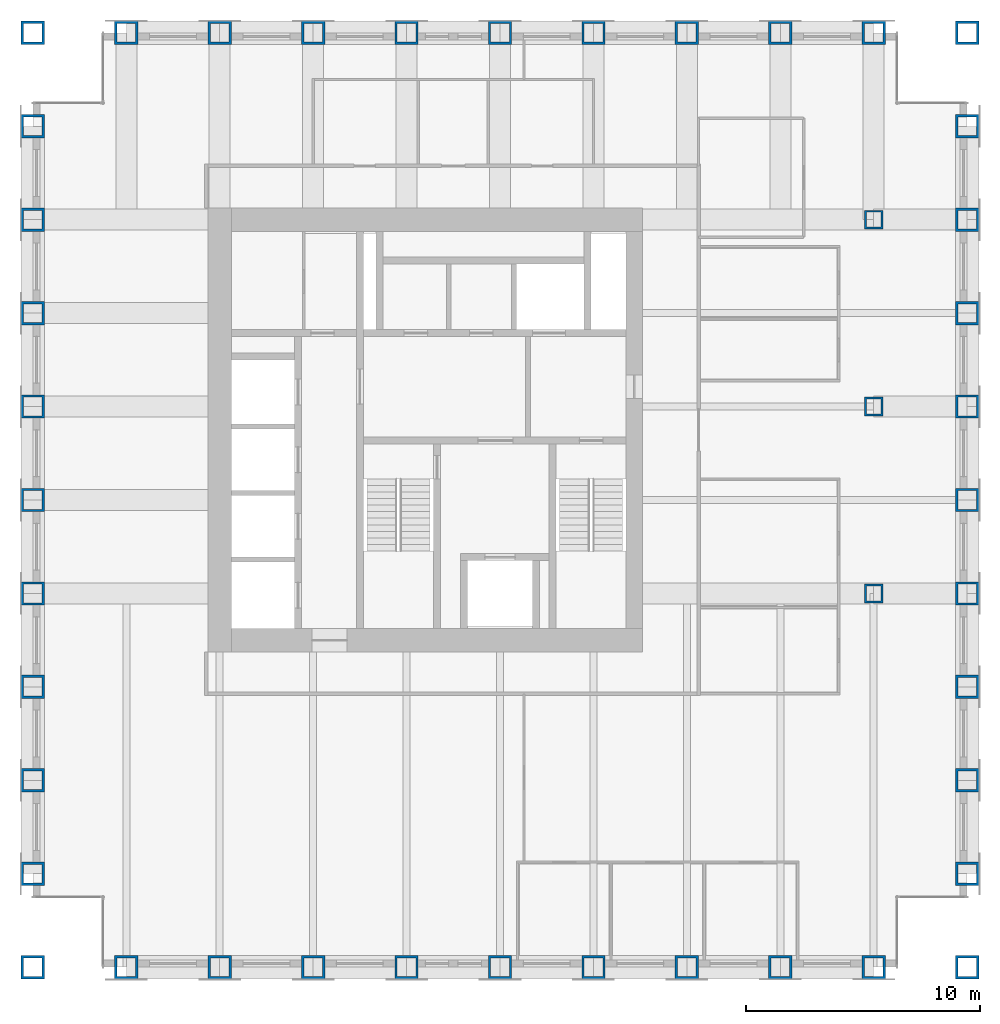
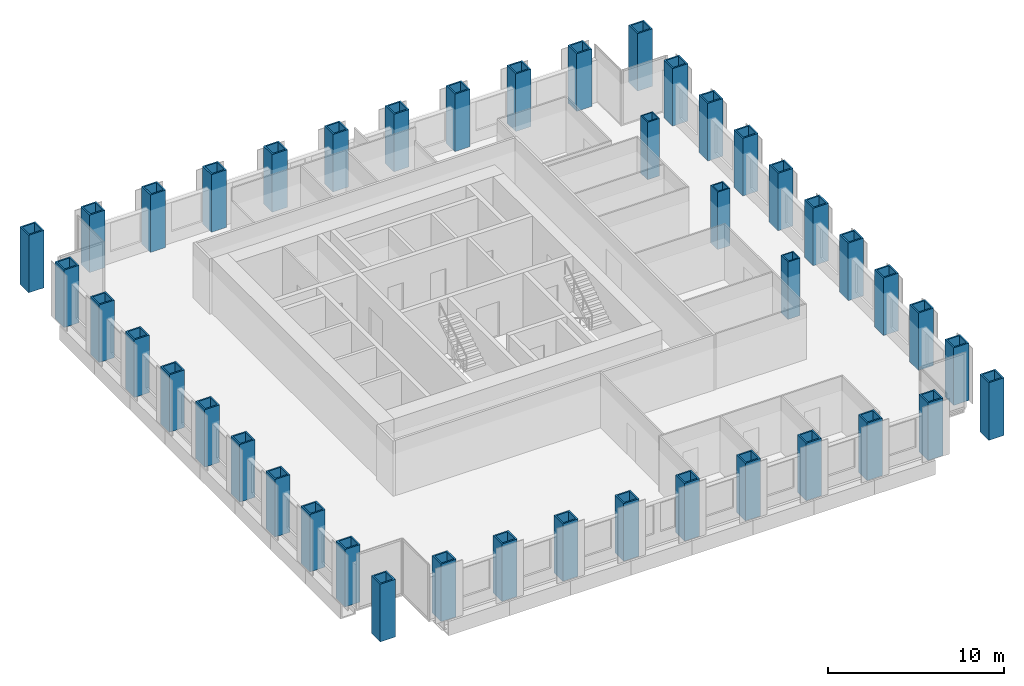
# One storey, part 1 of 11: 43 columns.
"""IFC4 building model written with IfcOpenShell, lengths in metres."""

from ifc_helpers import new_model, si_unit, direction, frame, origin, origin_2d, place, context, subcontext, project, spatial, hollow_rectangle, extrude, material, material_profile, profile_set, type_object, element, save


model = new_model("IFC4")

# Units and contexts
model_context = context("Model", 3, precision=1e-05, world=origin(), true_north=direction((0.0, 1.0)))
body_context = subcontext(model_context, "Body", "Model", "MODEL_VIEW")
ifc_project = project(units=[si_unit("LENGTHUNIT", "METRE"), si_unit("AREAUNIT", "SQUARE_METRE"), si_unit("VOLUMEUNIT", "CUBIC_METRE"), si_unit("PLANEANGLEUNIT", "RADIAN"), si_unit("MASSUNIT", "GRAM", prefix="KILO")], contexts=[model_context])

# Site, building, storey
site_placement = place(None, origin())
site = spatial("IfcSite", under=ifc_project, at=site_placement, CompositionType="ELEMENT")
building_placement = place(site_placement, origin())
building = spatial("IfcBuilding", under=site, at=building_placement, Name="Rimbunsela Tower", CompositionType="ELEMENT")
storey_placement = place(building_placement, frame((0.0, 0.0, 246.199951171875)))
storey = spatial("IfcBuildingStorey", under=building, at=storey_placement, Name="L59", CompositionType="ELEMENT", Elevation=246.199951171875)

# Columns
ifc_material_1 = material(Name="Steel BJ 55 (fy 410 MPa)", Category="steel")
ifc_material_profile_1 = material_profile(ifc_material_1, hollow_rectangle(XDim=1.0, YDim=1.0, WallThickness=0.10009765625, at=origin_2d()), Name="BOX 1000x1000x100")
ifc_profile_set_1 = profile_set([ifc_material_profile_1], Name="Steel BJ 55 (fy 410 MPa)")
column_type_1 = type_object("IfcColumnType", Name="Column BOX 1000x1000x100", PredefinedType="COLUMN", material=ifc_profile_set_1)
for number, where, z_axis, x_axis, name in (
    (1, (10.0, 4.0, 0.0), (0.0, 0.0, 1.0), (1.0, 0.0, 0.0), "Column C1 5/C L59"),
    (2, (10.0, 8.0, 0.0), (0.0, 0.0, 1.0), (1.0, 0.0, 0.0), "Column C1 5/D L59"),
    (3, (10.0, 12.0, 0.0), (0.0, 0.0, 1.0), (1.0, 0.0, 0.0), "Column C1 5/E L59"),
    (4, (10.0, 16.0, 0.0), (0.0, 0.0, 1.0), (1.0, 0.0, 0.0), "Column C1 5/F L59"),
    (5, (10.0, 20.0, 0.0), (0.0, 0.0, 1.0), (1.0, 0.0, 0.0), "Column C1 5/G L59"),
    (6, (10.0, 24.0, 0.0), (0.0, 0.0, 1.0), (1.0, 0.0, 0.0), "Column C1 5/H L59"),
    (7, (10.0, 28.0, 0.0), (0.0, 0.0, 1.0), (1.0, 0.0, 0.0), "Column C1 5/J L59"),
    (8, (10.0, 32.0, 0.0), (0.0, 0.0, 1.0), (1.0, 0.0, 0.0), "Column C1 5/K L59"),
    (9, (10.0, 36.0, 0.0), (0.0, 0.0, 1.0), (1.0, 0.0, 0.0), "Column C1 5/L L59"),
    (10, (10.0, 40.0, 0.0), (0.0, 0.0, 1.0), (1.0, 0.0, 0.0), "Column C1 5/M L59"),
    (11, (10.0, 44.0, 0.0), (0.0, 0.0, 1.0), (1.0, 0.0, 0.0), "Column C1 5/N L59"),
    (12, (14.0, 4.0, 0.0), (0.0, 0.0, 1.0), (1.0, 0.0, 0.0), "Column C1 6/C L59"),
    (13, (14.0, 44.0, 0.0), (0.0, 0.0, 1.0), (1.0, 0.0, 0.0), "Column C1 6/N L59"),
    (14, (18.0, 4.0, 0.0), (0.0, 0.0, 1.0), (1.0, 0.0, 0.0), "Column C1 7/C L59"),
    (15, (18.0, 44.0, 0.0), (0.0, 0.0, 1.0), (1.0, 0.0, 0.0), "Column C1 7/N L59"),
    (16, (22.0, 4.0, 0.0), (0.0, 0.0, 1.0), (1.0, 0.0, 0.0), "Column C1 8/C L59"),
    (17, (22.0, 44.0, 0.0), (0.0, 0.0, 1.0), (1.0, 0.0, 0.0), "Column C1 8/N L59"),
    (18, (26.0, 4.0, 0.0), (0.0, 0.0, 1.0), (1.0, 0.0, 0.0), "Column C1 9/C L59"),
    (19, (26.0, 44.0, 0.0), (0.0, 0.0, 1.0), (1.0, 0.0, 0.0), "Column C1 9/N L59"),
    (20, (30.0, 4.0, 0.0), (0.0, 0.0, 1.0), (1.0, 0.0, 0.0), "Column C1 10/C L59"),
    (21, (30.0, 44.0, 0.0), (0.0, 0.0, 1.0), (1.0, 0.0, 0.0), "Column C1 10/N L59"),
    (22, (34.0, 4.0, 0.0), (0.0, 0.0, 1.0), (1.0, 0.0, 0.0), "Column C1 11/C L59"),
    (23, (34.0, 44.0, 0.0), (0.0, 0.0, 1.0), (1.0, 0.0, 0.0), "Column C1 11/N L59"),
    (24, (38.0, 4.0, 0.0), (0.0, 0.0, 1.0), (1.0, 0.0, 0.0), "Column C1 12/C L59"),
    (25, (38.0, 44.0, 0.0), (0.0, 0.0, 1.0), (1.0, 0.0, 0.0), "Column C1 12/N L59"),
    (26, (42.0, 4.0, 0.0), (0.0, 0.0, 1.0), (1.0, 0.0, 0.0), "Column C1 13/C L59"),
    (27, (42.0, 44.0, 0.0), (0.0, 0.0, 1.0), (1.0, 0.0, 0.0), "Column C1 13/N L59"),
    (28, (46.0, 4.0, 0.0), (0.0, 0.0, 1.0), (1.0, 0.0, 0.0), "Column C1 14/C L59"),
    (29, (46.0, 44.0, 0.0), (0.0, 0.0, 1.0), (1.0, 0.0, 0.0), "Column C1 14/N L59"),
    (30, (50.0, 4.0, 0.0), (0.0, 0.0, 1.0), (1.0, 0.0, 0.0), "Column C1 15/C L59"),
    (31, (50.0, 8.0, 0.0), (0.0, 0.0, 1.0), (1.0, 0.0, 0.0), "Column C1 15/D L59"),
    (32, (50.0, 12.0, 0.0), (0.0, 0.0, 1.0), (1.0, 0.0, 0.0), "Column C1 15/E L59"),
    (33, (50.0, 16.0, 0.0), (0.0, 0.0, 1.0), (1.0, 0.0, 0.0), "Column C1 15/F L59"),
    (34, (50.0, 20.0, 0.0), (0.0, 0.0, 1.0), (1.0, 0.0, 0.0), "Column C1 15/G L59"),
    (35, (50.0, 24.0, 0.0), (0.0, 0.0, 1.0), (1.0, 0.0, 0.0), "Column C1 15/H L59"),
    (36, (50.0, 28.0, 0.0), (0.0, 0.0, 1.0), (1.0, 0.0, 0.0), "Column C1 15/J L59"),
    (37, (50.0, 32.0, 0.0), (0.0, 0.0, 1.0), (1.0, 0.0, 0.0), "Column C1 15/K L59"),
    (38, (50.0, 36.0, 0.0), (0.0, 0.0, 1.0), (1.0, 0.0, 0.0), "Column C1 15/L L59"),
    (39, (50.0, 40.0, 0.0), (0.0, 0.0, 1.0), (1.0, 0.0, 0.0), "Column C1 15/M L59"),
    (40, (50.0, 44.0, 0.0), (0.0, 0.0, 1.0), (1.0, 0.0, 0.0), "Column C1 15/N L59"),
):
    element("IfcColumn", number, at=place(storey_placement, frame(where, z_axis=z_axis, x_axis=x_axis)), inside=storey, type_object=column_type_1, Name=name, PredefinedType="COLUMN", context=body_context, shape_type="SweptSolid", body=[
        extrude(hollow_rectangle(XDim=1.0, YDim=1.0, WallThickness=0.10009765625, at=origin_2d()), origin(), (0.0, 0.0, 1.0), 4.0),
    ])
ifc_material_2 = material(Name="Steel BJ 55 (fy 410 MPa)", Category="steel")
ifc_material_profile_2 = material_profile(ifc_material_2, hollow_rectangle(XDim=0.800048828125, YDim=0.800048828125, WallThickness=0.080078125, at=origin_2d()), Name="BOX 800x800x80")
ifc_profile_set_2 = profile_set([ifc_material_profile_2], Name="Steel BJ 55 (fy 410 MPa)")
column_type_2 = type_object("IfcColumnType", Name="Column BOX 800x800x80", PredefinedType="COLUMN", material=ifc_profile_set_2)
for number, where, z_axis, x_axis, name in (
    (41, (46.0, 20.0, 0.0), (0.0, 0.0, 1.0), (1.0, 0.0, 0.0), "Column C2 14/G L59"),
    (42, (46.0, 28.0, 0.0), (0.0, 0.0, 1.0), (1.0, 0.0, 0.0), "Column C2 14/J L59"),
    (43, (46.0, 36.0, 0.0), (0.0, 0.0, 1.0), (1.0, 0.0, 0.0), "Column C2 14/L L59"),
):
    element("IfcColumn", number, at=place(storey_placement, frame(where, z_axis=z_axis, x_axis=x_axis)), inside=storey, type_object=column_type_2, Name=name, PredefinedType="COLUMN", context=body_context, shape_type="SweptSolid", body=[
        extrude(hollow_rectangle(XDim=0.800048828125, YDim=0.800048828125, WallThickness=0.080078125, at=origin_2d()), origin(), (0.0, 0.0, 1.0), 4.0),
    ])

save(model, "model.ifc")
